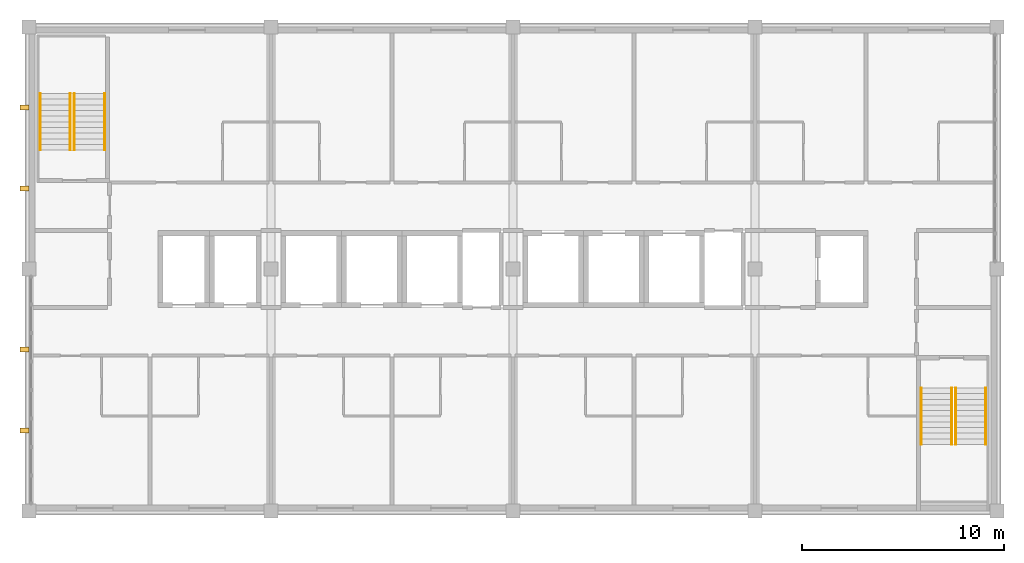
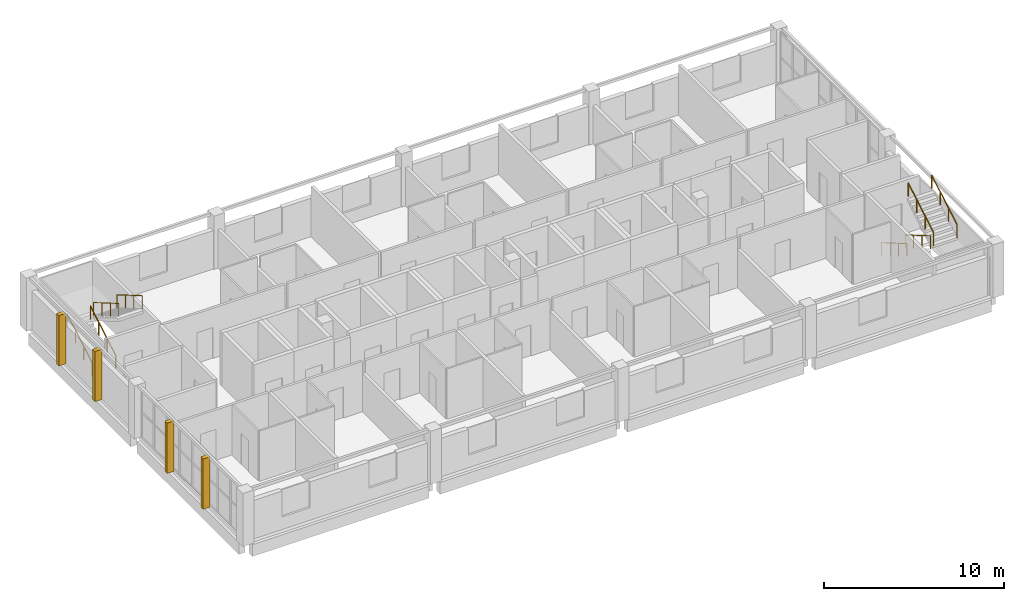
# One storey, part 11 of 11: 8 railings, 4 coverings.
"""IFC4 building model written with IfcOpenShell, lengths in metres."""

from ifc_helpers import new_model, si_unit, direction, frame, frame_2d, origin, origin_2d, place, context, subcontext, project, spatial, rectangle, circle, extrude, material, layer, layer_set, type_object, element, save


model = new_model("IFC4")

# Units and contexts
model_context = context("Model", 3, precision=1e-05, world=origin(), true_north=direction((0.0, 1.0)))
body_context = subcontext(model_context, "Body", "Model", "MODEL_VIEW")
ifc_project = project(units=[si_unit("LENGTHUNIT", "METRE"), si_unit("AREAUNIT", "SQUARE_METRE"), si_unit("VOLUMEUNIT", "CUBIC_METRE"), si_unit("PLANEANGLEUNIT", "RADIAN"), si_unit("MASSUNIT", "GRAM", prefix="KILO")], contexts=[model_context])

# Site, building, storey
site_placement = place(None, origin())
site = spatial("IfcSite", under=ifc_project, at=site_placement, CompositionType="ELEMENT")
building_placement = place(site_placement, origin())
building = spatial("IfcBuilding", under=site, at=building_placement, Name="Lilac Gate Convention Centre", CompositionType="ELEMENT")
storey_placement = place(building_placement, frame((0.0, 0.0, 64.199951171875)))
storey = spatial("IfcBuildingStorey", under=building, at=storey_placement, Name="L16", CompositionType="ELEMENT", Elevation=64.199951171875)

# Coverings
ifc_material_1 = material(Name="Concrete C40 precast", Category="concrete")
ifc_layer_1 = layer(ifc_material_1, 0.22998046875)
ifc_material_2 = material(Name="Terracotta glazed cladding", Category="masonry")
ifc_layer_2 = layer(ifc_material_2, 0.02001953125)
ifc_layer_set = layer_set([ifc_layer_1, ifc_layer_2], Name="Concrete C40 precast, Terracotta glazed cladding")
covering_type = type_object("IfcCoveringType", Name="Precast fin 250 x 450", PredefinedType="CLADDING", material=ifc_layer_set)
for number, where, z_axis, x_axis, name in (
    (1, (41.550048828125, 226.0, 0.0), (0.0, 0.0, 1.0), (1.0, 0.0, 0.0), "Precast fin west L16 226"),
    (2, (41.550048828125, 230.0, 0.0), (0.0, 0.0, 1.0), (1.0, 0.0, 0.0), "Precast fin west L16 230"),
    (3, (41.550048828125, 238.0, 0.0), (0.0, 0.0, 1.0), (1.0, 0.0, 0.0), "Precast fin west L16 238"),
    (4, (41.550048828125, 242.0, 0.0), (0.0, 0.0, 1.0), (1.0, 0.0, 0.0), "Precast fin west L16 242"),
):
    element("IfcCovering", number, at=place(storey_placement, frame(where, z_axis=z_axis, x_axis=x_axis)), inside=storey, type_object=covering_type, Name=name, PredefinedType="CLADDING", context=body_context, shape_type="SweptSolid", body=[
        extrude(rectangle(XDim=0.449951171875, YDim=0.25, at=frame_2d((0.22509765625, 0.0))), origin(), (0.0, 0.0, 1.0), 3.400146484375),
    ])

# Railings
ifc_material_3 = material(Name="Stainless steel 304", Category="steel")
railing_type = type_object("IfcRailingType", Name="Stair handrail", PredefinedType="HANDRAIL", material=ifc_material_3)
for number, where, name in (
    (5, (42.550048828125, 239.89990234375, 0.16357421875), "Handrail NW L16 flight 1"),
    (6, (44.050048828125, 239.89990234375, 0.16357421875), "Handrail NW L16 flight 1"),
):
    element("IfcRailing", number, at=place(storey_placement, frame(where)), inside=storey, type_object=railing_type, Name=name, PredefinedType="HANDRAIL", context=body_context, shape_type="SweptSolid", body=[
        extrude(circle(Radius=0.02392578125, at=origin_2d()), frame((0.0, 0.0, 0.8759765625), z_axis=(0.0, 0.863360870873, 0.504586966384), x_axis=(-1.0, 0.0, 0.0)), (0.0, 0.0, 1.0), 3.2431640625),
        extrude(circle(Radius=0.02099609375, at=origin_2d()), origin(), (0.0, 0.0, 1.0), 0.851806640625),
        extrude(circle(Radius=0.02099609375, at=origin_2d()), frame((0.0, 0.933349609375, 0.54541015625)), (0.0, 0.0, 1.0), 0.851806640625),
        extrude(circle(Radius=0.02099609375, at=origin_2d()), frame((0.0, 1.86669921875, 1.091064453125)), (0.0, 0.0, 1.0), 0.851806640625),
        extrude(circle(Radius=0.02099609375, at=origin_2d()), frame((0.0, 2.800048828125, 1.636474609375)), (0.0, 0.0, 1.0), 0.851806640625),
    ])
for number, where, name in (
    (7, (45.75, 242.699951171875, 1.963623046875), "Handrail NW L16 flight 2"),
    (8, (44.25, 242.699951171875, 1.963623046875), "Handrail NW L16 flight 2"),
    (9, (87.75, 228.10009765625, 0.16357421875), "Handrail SE L16 flight 1"),
    (10, (86.25, 228.10009765625, 0.16357421875), "Handrail SE L16 flight 1"),
):
    element("IfcRailing", number, at=place(storey_placement, frame(where)), inside=storey, type_object=railing_type, Name=name, PredefinedType="HANDRAIL", context=body_context, shape_type="SweptSolid", body=[
        extrude(circle(Radius=0.02392578125, at=origin_2d()), frame((0.0, 0.0, 0.8759765625), z_axis=(0.0, -0.863360870873, 0.504586966384), x_axis=(1.0, 0.0, 0.0)), (0.0, 0.0, 1.0), 3.2431640625),
        extrude(circle(Radius=0.02099609375, at=origin_2d()), origin(), (0.0, 0.0, 1.0), 0.851806640625),
        extrude(circle(Radius=0.02099609375, at=origin_2d()), frame((0.0, -0.933349609375, 0.54541015625)), (0.0, 0.0, 1.0), 0.851806640625),
        extrude(circle(Radius=0.02099609375, at=origin_2d()), frame((0.0, -1.86669921875, 1.091064453125)), (0.0, 0.0, 1.0), 0.851806640625),
        extrude(circle(Radius=0.02099609375, at=origin_2d()), frame((0.0, -2.800048828125, 1.636474609375)), (0.0, 0.0, 1.0), 0.851806640625),
    ])
for number, where, name in (
    (11, (87.949951171875, 225.300048828125, 1.963623046875), "Handrail SE L16 flight 2"),
    (12, (89.449951171875, 225.300048828125, 1.963623046875), "Handrail SE L16 flight 2"),
):
    element("IfcRailing", number, at=place(storey_placement, frame(where)), inside=storey, type_object=railing_type, Name=name, PredefinedType="HANDRAIL", context=body_context, shape_type="SweptSolid", body=[
        extrude(circle(Radius=0.02392578125, at=origin_2d()), frame((0.0, 0.0, 0.8759765625), z_axis=(0.0, 0.863360870873, 0.504586966384), x_axis=(-1.0, 0.0, 0.0)), (0.0, 0.0, 1.0), 3.2431640625),
        extrude(circle(Radius=0.02099609375, at=origin_2d()), origin(), (0.0, 0.0, 1.0), 0.851806640625),
        extrude(circle(Radius=0.02099609375, at=origin_2d()), frame((0.0, 0.933349609375, 0.54541015625)), (0.0, 0.0, 1.0), 0.851806640625),
        extrude(circle(Radius=0.02099609375, at=origin_2d()), frame((0.0, 1.86669921875, 1.091064453125)), (0.0, 0.0, 1.0), 0.851806640625),
        extrude(circle(Radius=0.02099609375, at=origin_2d()), frame((0.0, 2.800048828125, 1.636474609375)), (0.0, 0.0, 1.0), 0.851806640625),
    ])

save(model, "model.ifc")
